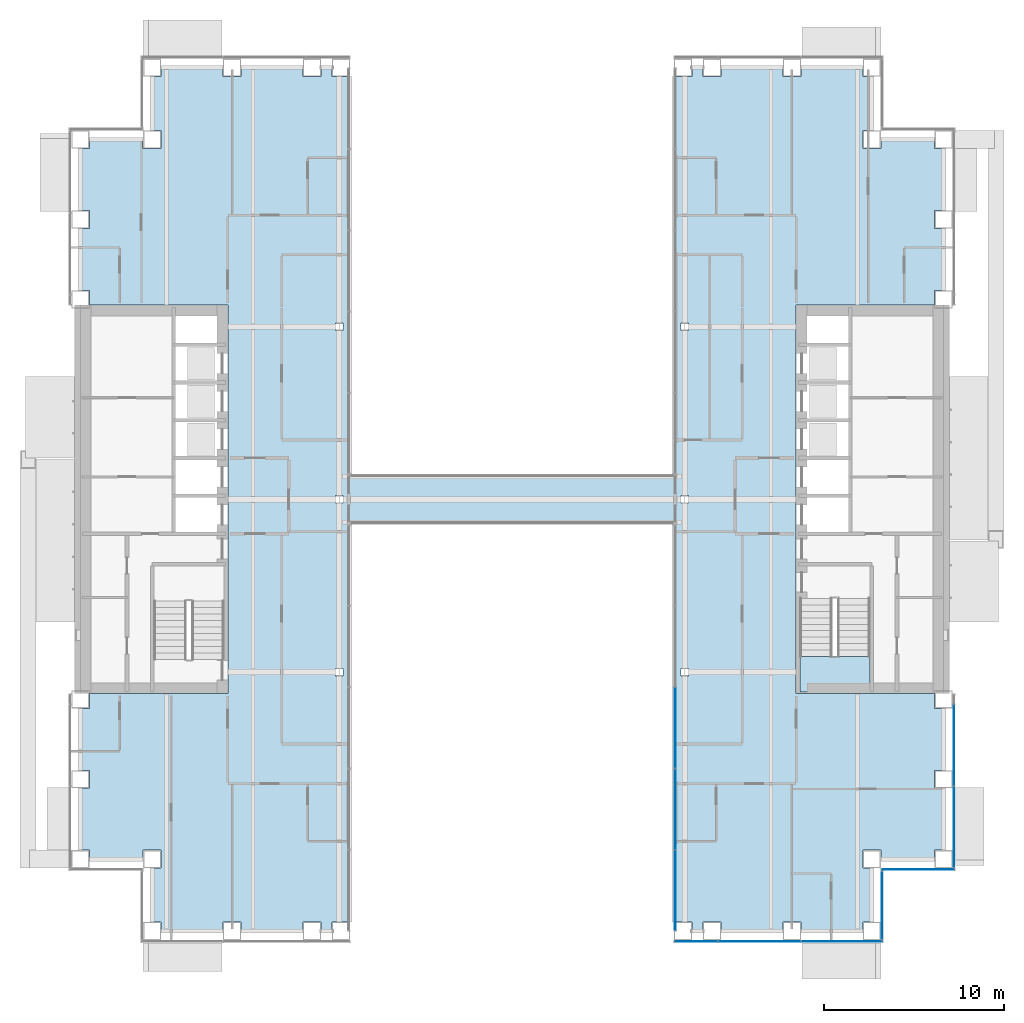
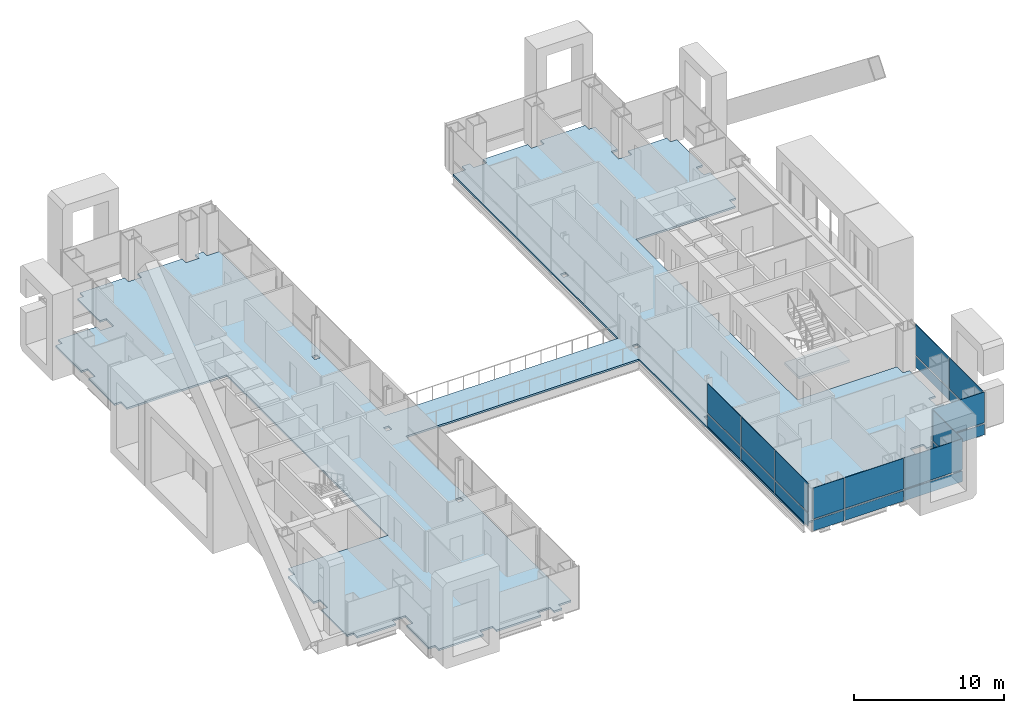
# One storey, part 13 of 26: 20 plates, 2 slabs, 6 elements without a shape of their own.
"""IFC4 building model written with IfcOpenShell, lengths in metres."""

from ifc_helpers import new_model, si_unit, direction, frame, origin, origin_2d, place, context, subcontext, project, spatial, polyline, rectangle, outline, extrude, material, layer, layer_set, type_object, element, aggregate, save


model = new_model("IFC4")

# Units and contexts
model_context = context("Model", 3, precision=1e-05, world=origin(), true_north=direction((0.0, 1.0)))
body_context = subcontext(model_context, "Body", "Model", "MODEL_VIEW")
ifc_project = project(units=[si_unit("LENGTHUNIT", "METRE"), si_unit("AREAUNIT", "SQUARE_METRE"), si_unit("VOLUMEUNIT", "CUBIC_METRE"), si_unit("PLANEANGLEUNIT", "RADIAN"), si_unit("MASSUNIT", "GRAM", prefix="KILO")], contexts=[model_context])

# Site, building, storey
site_placement = place(None, origin())
site = spatial("IfcSite", under=ifc_project, at=site_placement, CompositionType="ELEMENT")
building_placement = place(site_placement, origin())
building = spatial("IfcBuilding", under=site, at=building_placement, Name="Cobrizo Arcos Hotel Tower", CompositionType="ELEMENT")
storey_placement = place(building_placement, frame((0.0, 0.0, 67.0)))
storey = spatial("IfcBuildingStorey", under=building, at=storey_placement, Name="L15", CompositionType="ELEMENT", Elevation=67.0)

# Curtain wall, plates
ifc_material_1 = material(Name="Aluminium 6063-T6 anodised bronze", Category="aluminium")
curtain_wall_type_1 = type_object("IfcCurtainWallType", Name="CW-A guest facade", PredefinedType="NOTDEFINED", material=ifc_material_1)
curtain_wall_1_placement = place(storey_placement, origin())
curtain_wall_1 = element("IfcCurtainWall", 1, at=curtain_wall_1_placement, inside=storey, type_object=curtain_wall_type_1, Name="CW-A L15 S face", PredefinedType="NOTDEFINED")
ifc_material_2 = material(Name="Glass clear laminated low-e", Category="glass")
ifc_layer_1 = layer(ifc_material_2, 0.0400390625)
ifc_layer_set_1 = layer_set([ifc_layer_1], Name="CW-A glass panel")
plate_type_1 = type_object("IfcPlateType", Name="CW-A glass panel", PredefinedType="CURTAIN_PANEL", material=ifc_layer_set_1)
plate_1_placement = place(storey_placement, frame((10.251220703125, -24.574951171875, 0.990234375), z_axis=(0.0, 0.0, 1.0), x_axis=(1.0, 0.0, 0.0)))
plate_1 = element("IfcPlate", 2, at=plate_1_placement, type_object=plate_type_1, Name="CW-A glass panel 656", PredefinedType="CURTAIN_PANEL", context=body_context, shape_type="SweptSolid", body=[
    extrude(rectangle(XDim=2.38232421875, YDim=0.0400390625, at=origin_2d()), origin(), (0.0, 0.0, 1.0), 2.510009765625),
])
plate_2_placement = place(storey_placement, frame((13.7666015625, -24.574951171875, 0.990234375), z_axis=(0.0, 0.0, 1.0), x_axis=(1.0, 0.0, 0.0)))
plate_2 = element("IfcPlate", 3, at=plate_2_placement, type_object=plate_type_1, Name="CW-A glass panel 657", PredefinedType="CURTAIN_PANEL", context=body_context, shape_type="SweptSolid", body=[
    extrude(rectangle(XDim=4.52880859375, YDim=0.0400390625, at=origin_2d()), origin(), (0.0, 0.0, 1.0), 2.510009765625),
])
plate_3_placement = place(storey_placement, frame((18.340576171875, -24.574951171875, 0.990234375), z_axis=(0.0, 0.0, 1.0), x_axis=(1.0, 0.0, 0.0)))
plate_3 = element("IfcPlate", 4, at=plate_3_placement, type_object=plate_type_1, Name="CW-A glass panel 658", PredefinedType="CURTAIN_PANEL", context=body_context, shape_type="SweptSolid", body=[
    extrude(rectangle(XDim=4.498779296875, YDim=0.0400390625, at=origin_2d()), origin(), (0.0, 0.0, 1.0), 2.510009765625),
])

# Curtain wall, plate
curtain_wall_2_placement = place(storey_placement, origin())
curtain_wall_2 = element("IfcCurtainWall", 5, at=curtain_wall_2_placement, inside=storey, type_object=curtain_wall_type_1, Name="CW-A L15 E face", PredefinedType="NOTDEFINED")
plate_4_placement = place(storey_placement, frame((20.574951171875, -22.574951171875, 0.990234375), z_axis=(0.0, 0.0, 1.0), x_axis=(0.0, 1.0, 0.0)))
plate_4 = element("IfcPlate", 6, at=plate_4_placement, type_object=plate_type_1, Name="CW-A glass panel 659", PredefinedType="CURTAIN_PANEL", context=body_context, shape_type="SweptSolid", body=[
    extrude(rectangle(XDim=3.72998046875, YDim=0.0400390625, at=origin_2d()), origin(), (0.0, 0.0, 1.0), 2.510009765625),
])

curtain_wall_3_placement = place(storey_placement, origin())
curtain_wall_3 = element("IfcCurtainWall", 7, at=curtain_wall_3_placement, inside=storey, type_object=curtain_wall_type_1, Name="CW-A L15 S face", PredefinedType="NOTDEFINED")
plate_5_placement = place(storey_placement, frame((22.574951171875, -20.574951171875, 0.990234375), z_axis=(0.0, 0.0, 1.0), x_axis=(1.0, 0.0, 0.0)))
plate_5 = element("IfcPlate", 8, at=plate_5_placement, type_object=plate_type_1, Name="CW-A glass panel 660", PredefinedType="CURTAIN_PANEL", context=body_context, shape_type="SweptSolid", body=[
    extrude(rectangle(XDim=4.030029296875, YDim=0.0400390625, at=origin_2d()), origin(), (0.0, 0.0, 1.0), 2.510009765625),
])

# Curtain wall, plates
curtain_wall_4_placement = place(storey_placement, origin())
curtain_wall_4 = element("IfcCurtainWall", 9, at=curtain_wall_4_placement, inside=storey, type_object=curtain_wall_type_1, Name="CW-A L15 E face", PredefinedType="NOTDEFINED")
plate_6_placement = place(storey_placement, frame((24.574951171875, -18.207275390625, 0.990234375), z_axis=(0.0, 0.0, 1.0), x_axis=(0.0, 1.0, 0.0)))
plate_6 = element("IfcPlate", 10, at=plate_6_placement, type_object=plate_type_1, Name="CW-A glass panel 661", PredefinedType="CURTAIN_PANEL", context=body_context, shape_type="SweptSolid", body=[
    extrude(rectangle(XDim=4.465576171875, YDim=0.0400390625, at=origin_2d()), origin(), (0.0, 0.0, 1.0), 2.510009765625),
])
plate_7_placement = place(storey_placement, frame((24.574951171875, -13.666748046875, 0.990234375), z_axis=(0.0, 0.0, 1.0), x_axis=(0.0, 1.0, 0.0)))
plate_7 = element("IfcPlate", 11, at=plate_7_placement, type_object=plate_type_1, Name="CW-A glass panel 662", PredefinedType="CURTAIN_PANEL", context=body_context, shape_type="SweptSolid", body=[
    extrude(rectangle(XDim=4.49560546875, YDim=0.0400390625, at=origin_2d()), origin(), (0.0, 0.0, 1.0), 2.510009765625),
])

# Plate
ifc_material_3 = material(Name="Aluminium composite panel pale metal", Category="aluminium")
ifc_layer_2 = layer(ifc_material_3, 0.0400390625)
ifc_layer_set_2 = layer_set([ifc_layer_2], Name="CW-A spandrel panel")
plate_type_2 = type_object("IfcPlateType", Name="CW-A spandrel panel", PredefinedType="CURTAIN_PANEL", material=ifc_layer_set_2)
plate_8_placement = place(storey_placement, frame((10.251220703125, -24.574951171875, 0.0), z_axis=(0.0, 0.0, 1.0), x_axis=(1.0, 0.0, 0.0)))
plate_8 = element("IfcPlate", 12, at=plate_8_placement, type_object=plate_type_2, Name="CW-A spandrel panel 656", PredefinedType="CURTAIN_PANEL", context=body_context, shape_type="SweptSolid", body=[
    extrude(rectangle(XDim=2.38232421875, YDim=0.0400390625, at=origin_2d()), origin(), (0.0, 0.0, 1.0), 0.8701171875),
])

plate_9_placement = place(storey_placement, frame((13.7666015625, -24.574951171875, 0.0), z_axis=(0.0, 0.0, 1.0), x_axis=(1.0, 0.0, 0.0)))
plate_9 = element("IfcPlate", 13, at=plate_9_placement, type_object=plate_type_2, Name="CW-A spandrel panel 657", PredefinedType="CURTAIN_PANEL", context=body_context, shape_type="SweptSolid", body=[
    extrude(rectangle(XDim=4.52880859375, YDim=0.0400390625, at=origin_2d()), origin(), (0.0, 0.0, 1.0), 0.8701171875),
])

plate_10_placement = place(storey_placement, frame((18.340576171875, -24.574951171875, 0.0), z_axis=(0.0, 0.0, 1.0), x_axis=(1.0, 0.0, 0.0)))
plate_10 = element("IfcPlate", 14, at=plate_10_placement, type_object=plate_type_2, Name="CW-A spandrel panel 658", PredefinedType="CURTAIN_PANEL", context=body_context, shape_type="SweptSolid", body=[
    extrude(rectangle(XDim=4.498779296875, YDim=0.0400390625, at=origin_2d()), origin(), (0.0, 0.0, 1.0), 0.8701171875),
])

aggregate(curtain_wall_1, [plate_8, plate_1, plate_9, plate_2, plate_10, plate_3])

plate_11_placement = place(storey_placement, frame((20.574951171875, -22.574951171875, 0.0), z_axis=(0.0, 0.0, 1.0), x_axis=(0.0, 1.0, 0.0)))
plate_11 = element("IfcPlate", 15, at=plate_11_placement, type_object=plate_type_2, Name="CW-A spandrel panel 659", PredefinedType="CURTAIN_PANEL", context=body_context, shape_type="SweptSolid", body=[
    extrude(rectangle(XDim=3.72998046875, YDim=0.0400390625, at=origin_2d()), origin(), (0.0, 0.0, 1.0), 0.8701171875),
])

aggregate(curtain_wall_2, [plate_11, plate_4])

plate_12_placement = place(storey_placement, frame((22.574951171875, -20.574951171875, 0.0), z_axis=(0.0, 0.0, 1.0), x_axis=(1.0, 0.0, 0.0)))
plate_12 = element("IfcPlate", 16, at=plate_12_placement, type_object=plate_type_2, Name="CW-A spandrel panel 660", PredefinedType="CURTAIN_PANEL", context=body_context, shape_type="SweptSolid", body=[
    extrude(rectangle(XDim=4.030029296875, YDim=0.0400390625, at=origin_2d()), origin(), (0.0, 0.0, 1.0), 0.8701171875),
])

aggregate(curtain_wall_3, [plate_12, plate_5])

plate_13_placement = place(storey_placement, frame((24.574951171875, -18.207275390625, 0.0), z_axis=(0.0, 0.0, 1.0), x_axis=(0.0, 1.0, 0.0)))
plate_13 = element("IfcPlate", 17, at=plate_13_placement, type_object=plate_type_2, Name="CW-A spandrel panel 661", PredefinedType="CURTAIN_PANEL", context=body_context, shape_type="SweptSolid", body=[
    extrude(rectangle(XDim=4.465576171875, YDim=0.0400390625, at=origin_2d()), origin(), (0.0, 0.0, 1.0), 0.8701171875),
])

plate_14_placement = place(storey_placement, frame((24.574951171875, -13.666748046875, 0.0), z_axis=(0.0, 0.0, 1.0), x_axis=(0.0, 1.0, 0.0)))
plate_14 = element("IfcPlate", 18, at=plate_14_placement, type_object=plate_type_2, Name="CW-A spandrel panel 662", PredefinedType="CURTAIN_PANEL", context=body_context, shape_type="SweptSolid", body=[
    extrude(rectangle(XDim=4.49560546875, YDim=0.0400390625, at=origin_2d()), origin(), (0.0, 0.0, 1.0), 0.8701171875),
])

aggregate(curtain_wall_4, [plate_13, plate_6, plate_14, plate_7])

# Curtain wall, plates
curtain_wall_type_2 = type_object("IfcCurtainWallType", Name="CW-F void screen", PredefinedType="NOTDEFINED", material=ifc_material_1)
curtain_wall_5_placement = place(storey_placement, origin())
curtain_wall_5 = element("IfcCurtainWall", 19, at=curtain_wall_5_placement, inside=storey, type_object=curtain_wall_type_2, Name="CW-F L15 void screen A", PredefinedType="NOTDEFINED")
ifc_layer_3 = layer(ifc_material_2, 0.0400390625)
ifc_layer_set_3 = layer_set([ifc_layer_3], Name="CW-F glass panel")
plate_type_3 = type_object("IfcPlateType", Name="CW-F glass panel", PredefinedType="CURTAIN_PANEL", material=ifc_layer_set_3)
plate_15_placement = place(storey_placement, frame((9.074951171875, -21.72509765625, 0.0), z_axis=(0.0, 0.0, 1.0), x_axis=(0.0, 1.0, 0.0)))
plate_15 = element("IfcPlate", 20, at=plate_15_placement, type_object=plate_type_3, Name="CW-F glass panel 2468", PredefinedType="CURTAIN_PANEL", context=body_context, shape_type="SweptSolid", body=[
    extrude(rectangle(XDim=4.429931640625, YDim=0.0400390625, at=origin_2d()), origin(), (0.0, 0.0, 1.0), 0.989990234375),
])
plate_16_placement = place(storey_placement, frame((9.074951171875, -21.72509765625, 1.10986328125), z_axis=(0.0, 0.0, 1.0), x_axis=(0.0, 1.0, 0.0)))
plate_16 = element("IfcPlate", 21, at=plate_16_placement, type_object=plate_type_3, Name="CW-F glass panel 2468", PredefinedType="CURTAIN_PANEL", context=body_context, shape_type="SweptSolid", body=[
    extrude(rectangle(XDim=4.429931640625, YDim=0.0400390625, at=origin_2d()), origin(), (0.0, 0.0, 1.0), 2.389892578125),
])
plate_17_placement = place(storey_placement, frame((9.074951171875, -17.219970703125, 0.0), z_axis=(0.0, 0.0, 1.0), x_axis=(0.0, 1.0, 0.0)))
plate_17 = element("IfcPlate", 22, at=plate_17_placement, type_object=plate_type_3, Name="CW-F glass panel 2469", PredefinedType="CURTAIN_PANEL", context=body_context, shape_type="SweptSolid", body=[
    extrude(rectangle(XDim=4.4599609375, YDim=0.0400390625, at=origin_2d()), origin(), (0.0, 0.0, 1.0), 0.989990234375),
])
plate_18_placement = place(storey_placement, frame((9.074951171875, -17.219970703125, 1.10986328125), z_axis=(0.0, 0.0, 1.0), x_axis=(0.0, 1.0, 0.0)))
plate_18 = element("IfcPlate", 23, at=plate_18_placement, type_object=plate_type_3, Name="CW-F glass panel 2469", PredefinedType="CURTAIN_PANEL", context=body_context, shape_type="SweptSolid", body=[
    extrude(rectangle(XDim=4.4599609375, YDim=0.0400390625, at=origin_2d()), origin(), (0.0, 0.0, 1.0), 2.389892578125),
])
plate_19_placement = place(storey_placement, frame((9.074951171875, -12.699951171875, 0.0), z_axis=(0.0, 0.0, 1.0), x_axis=(0.0, 1.0, 0.0)))
plate_19 = element("IfcPlate", 24, at=plate_19_placement, type_object=plate_type_3, Name="CW-F glass panel 2470", PredefinedType="CURTAIN_PANEL", context=body_context, shape_type="SweptSolid", body=[
    extrude(rectangle(XDim=4.4599609375, YDim=0.0400390625, at=origin_2d()), origin(), (0.0, 0.0, 1.0), 0.989990234375),
])
plate_20_placement = place(storey_placement, frame((9.074951171875, -12.699951171875, 1.10986328125), z_axis=(0.0, 0.0, 1.0), x_axis=(0.0, 1.0, 0.0)))
plate_20 = element("IfcPlate", 25, at=plate_20_placement, type_object=plate_type_3, Name="CW-F glass panel 2470", PredefinedType="CURTAIN_PANEL", context=body_context, shape_type="SweptSolid", body=[
    extrude(rectangle(XDim=4.4599609375, YDim=0.0400390625, at=origin_2d()), origin(), (0.0, 0.0, 1.0), 2.389892578125),
])
aggregate(curtain_wall_5, [plate_15, plate_16, plate_17, plate_18, plate_19, plate_20])

# Slab
ifc_material_4 = material(Name="Concrete f'c 35 MPa", Category="concrete")
ifc_layer_4 = layer(ifc_material_4, 0.14990234375)
ifc_layer_set_4 = layer_set([ifc_layer_4], Name="Composite floor slab 150 f'c 35")
slab_type_1 = type_object("IfcSlabType", Name="Composite floor slab 150 f'c 35", PredefinedType="FLOOR", material=ifc_layer_set_4)
slab_1_placement = place(storey_placement, frame((0.0, 0.0, -0.14990234375)))
element("IfcSlab", 26, at=slab_1_placement, inside=storey, type_object=slab_type_1, Name="Floor slab S5, L15, no. 01", PredefinedType="FLOOR", context=body_context, shape_type="SweptSolid", body=[
    extrude(outline(polyline([(23.5, 20.0), (23.5, 19.5), (24.0, 19.5), (24.0, 16.055908203125), (23.5, 16.055908203125), (23.5, 15.055908203125), (24.0, 15.055908203125), (24.0, 11.611083984375), (23.5, 11.611083984375), (23.5, 10.800048828125), (15.800048828125, 10.800048828125), (15.800048828125, -10.800048828125), (23.5, -10.800048828125), (23.5, -11.611083984375), (24.0, -11.611083984375), (24.0, -15.055908203125), (23.5, -15.055908203125), (23.5, -16.055908203125), (24.0, -16.055908203125), (24.0, -19.5), (23.5, -19.5), (23.5, -20.0), (20.5, -20.0), (20.5, -19.5), (19.5, -19.5), (19.5, -20.5), (20.0, -20.5), (20.0, -23.5), (19.5, -23.5), (19.5, -24.0), (16.055908203125, -24.0), (16.055908203125, -23.5), (15.055908203125, -23.5), (15.055908203125, -24.0), (11.611083984375, -24.0), (11.611083984375, -23.5), (10.611083984375, -23.5), (10.611083984375, -24.0), (10.0, -24.0), (10.0, -23.5), (9.0, -23.5), (9.0, -1.39990234375), (-9.0, -1.39990234375), (-9.0, -23.5), (-10.0, -23.5), (-10.0, -24.0), (-10.611083984375, -24.0), (-10.611083984375, -23.5), (-11.611083984375, -23.5), (-11.611083984375, -24.0), (-15.055908203125, -24.0), (-15.055908203125, -23.5), (-16.055908203125, -23.5), (-16.055908203125, -24.0), (-19.5, -24.0), (-19.5, -23.5), (-20.0, -23.5), (-20.0, -20.5), (-19.5, -20.5), (-19.5, -19.5), (-20.5, -19.5), (-20.5, -20.0), (-23.5, -20.0), (-23.5, -19.5), (-24.0, -19.5), (-24.0, -16.055908203125), (-23.5, -16.055908203125), (-23.5, -15.055908203125), (-24.0, -15.055908203125), (-24.0, -11.611083984375), (-23.5, -11.611083984375), (-23.5, -10.800048828125), (-15.800048828125, -10.800048828125), (-15.800048828125, 10.800048828125), (-23.5, 10.800048828125), (-23.5, 11.611083984375), (-24.0, 11.611083984375), (-24.0, 15.055908203125), (-23.5, 15.055908203125), (-23.5, 16.055908203125), (-24.0, 16.055908203125), (-24.0, 19.5), (-23.5, 19.5), (-23.5, 20.0), (-20.5, 20.0), (-20.5, 19.5), (-19.5, 19.5), (-19.5, 20.5), (-20.0, 20.5), (-20.0, 23.5), (-19.5, 23.5), (-19.5, 24.0), (-16.055908203125, 24.0), (-16.055908203125, 23.5), (-15.055908203125, 23.5), (-15.055908203125, 24.0), (-11.611083984375, 24.0), (-11.611083984375, 23.5), (-10.611083984375, 23.5), (-10.611083984375, 24.0), (-10.0, 24.0), (-10.0, 23.5), (-9.0, 23.5), (-9.0, 1.39990234375), (9.0, 1.39990234375), (9.0, 23.5), (10.0, 23.5), (10.0, 24.0), (10.611083984375, 24.0), (10.611083984375, 23.5), (11.611083984375, 23.5), (11.611083984375, 24.0), (15.055908203125, 24.0), (15.055908203125, 23.5), (16.055908203125, 23.5), (16.055908203125, 24.0), (19.5, 24.0), (19.5, 23.5), (20.0, 23.5), (20.0, 20.5), (19.5, 20.5), (19.5, 19.5), (20.5, 19.5), (20.5, 20.0), (23.5, 20.0)]), holes=[polyline([(-9.804443359375, -9.804443359375), (-9.3955078125, -9.804443359375), (-9.3955078125, -9.3955078125), (-9.804443359375, -9.3955078125), (-9.804443359375, -9.804443359375)]), polyline([(-9.3955078125, -0.204345703125), (-9.3955078125, 0.204345703125), (-9.804443359375, 0.204345703125), (-9.804443359375, -0.204345703125), (-9.3955078125, -0.204345703125)]), polyline([(-9.3955078125, 9.3955078125), (-9.3955078125, 9.804443359375), (-9.804443359375, 9.804443359375), (-9.804443359375, 9.3955078125), (-9.3955078125, 9.3955078125)]), polyline([(9.3955078125, -9.804443359375), (9.804443359375, -9.804443359375), (9.804443359375, -9.3955078125), (9.3955078125, -9.3955078125), (9.3955078125, -9.804443359375)]), polyline([(9.3955078125, -0.204345703125), (9.804443359375, -0.204345703125), (9.804443359375, 0.204345703125), (9.3955078125, 0.204345703125), (9.3955078125, -0.204345703125)]), polyline([(9.804443359375, 9.3955078125), (9.804443359375, 9.804443359375), (9.3955078125, 9.804443359375), (9.3955078125, 9.3955078125), (9.804443359375, 9.3955078125)])]), origin(), (0.0, 0.0, 1.0), 0.14990234375),
])

# Stair, slab
ifc_material_5 = material(Name="Concrete f'c 40 MPa", Category="concrete")
stair_type = type_object("IfcStairType", Name="Exit stair", PredefinedType="HALF_TURN_STAIR", material=ifc_material_5)
stair_placement = place(storey_placement, origin())
stair = element("IfcStair", 27, at=stair_placement, inside=storey, type_object=stair_type, Name="L15 Exit stair ST-E", PredefinedType="HALF_TURN_STAIR")
ifc_layer_5 = layer(ifc_material_5, 0.199951171875)
ifc_layer_set_5 = layer_set([ifc_layer_5], Name="Stair landing")
slab_type_2 = type_object("IfcSlabType", Name="Stair landing", PredefinedType="LANDING", material=ifc_layer_set_5)
slab_2_placement = place(storey_placement, frame((0.0, 0.0, 1.550048828125)))
slab_2 = element("IfcSlab", 28, at=slab_2_placement, type_object=slab_type_2, Name="ST-E landing 1", PredefinedType="LANDING", context=body_context, shape_type="SweptSolid", body=[
    extrude(outline(polyline([(16.0, -8.739990234375), (16.0, -10.699951171875), (19.89990234375, -10.699951171875), (19.89990234375, -8.739990234375), (16.0, -8.739990234375)])), origin(), (0.0, 0.0, 1.0), 0.199951171875),
])
aggregate(stair, [slab_2])

save(model, "model.ifc")
